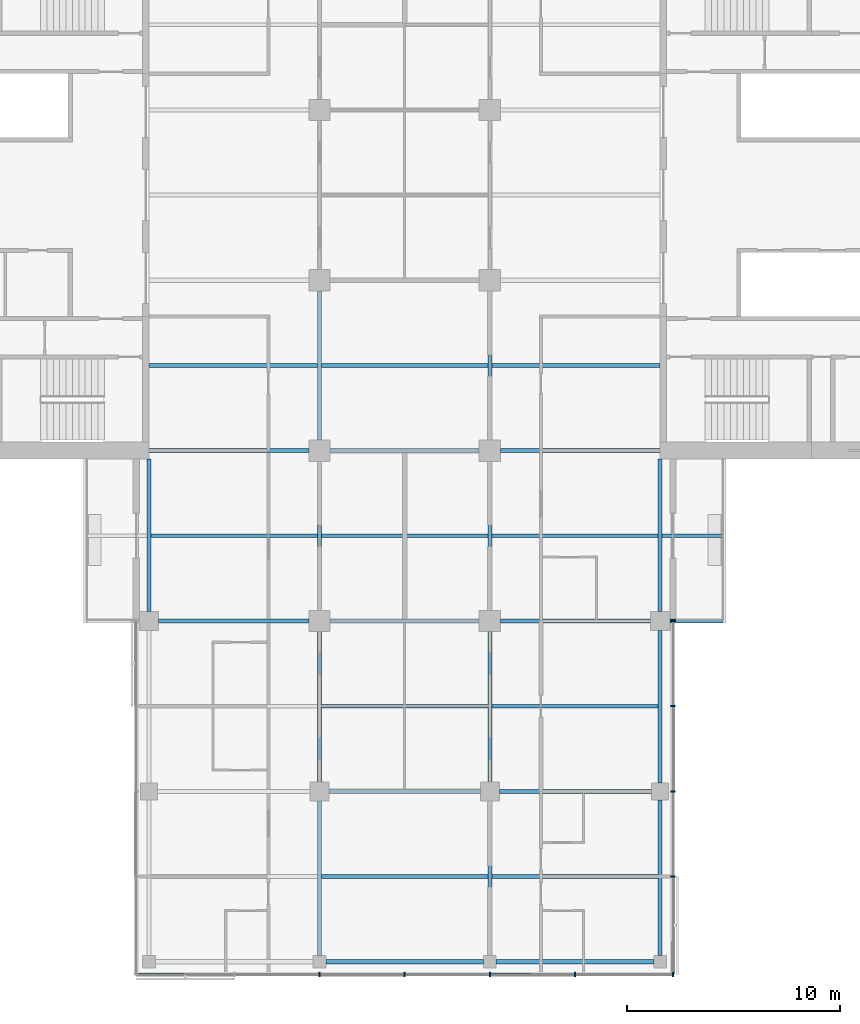
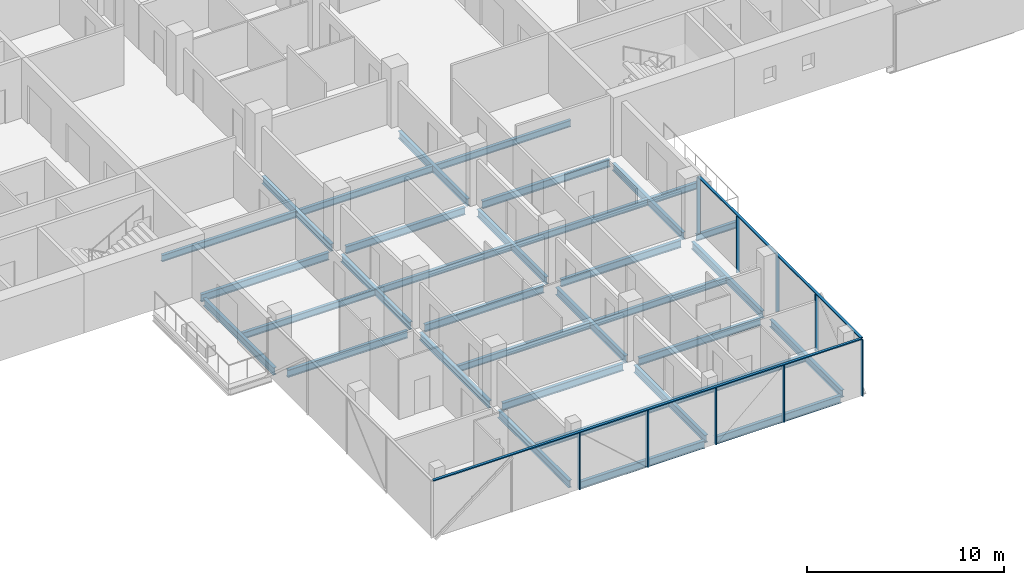
# One storey, part 4 of 27: 34 beams, 11 members, 2 elements without a shape of their own.
"""IFC4 building model written with IfcOpenShell, lengths in metres."""

from ifc_helpers import new_model, si_unit, direction, frame, origin, origin_2d, place, context, subcontext, project, spatial, rectangle, i_section, extrude, material, material_profile, profile_set, type_object, element, aggregate, save


model = new_model("IFC4")

# Units and contexts
model_context = context("Model", 3, precision=1e-05, world=origin(), true_north=direction((0.0, 1.0)))
body_context = subcontext(model_context, "Body", "Model", "MODEL_VIEW")
ifc_project = project(units=[si_unit("LENGTHUNIT", "METRE"), si_unit("AREAUNIT", "SQUARE_METRE"), si_unit("VOLUMEUNIT", "CUBIC_METRE"), si_unit("PLANEANGLEUNIT", "RADIAN"), si_unit("MASSUNIT", "GRAM", prefix="KILO")], contexts=[model_context])

# Site, building, storey
site_placement = place(None, origin())
site = spatial("IfcSite", under=ifc_project, at=site_placement, CompositionType="ELEMENT")
building_placement = place(site_placement, origin())
building = spatial("IfcBuilding", under=site, at=building_placement, Name="Crosswind Convention Tower", CompositionType="ELEMENT")
storey_placement = place(building_placement, frame((0.0, 0.0, 101.60009765625)))
storey = spatial("IfcBuildingStorey", under=building, at=storey_placement, Name="L20", CompositionType="ELEMENT", Elevation=101.60009765625)

# Beams
ifc_material_1 = material(Name="Steel S355", Category="steel")
ifc_material_profile_1 = material_profile(ifc_material_1, i_section(OverallWidth=0.177734375, OverallDepth=0.406494140625, WebThickness=0.0078125, FlangeThickness=0.0126953125, FilletRadius=0.01025390625, at=origin_2d()), Name="UB 406x178x60")
ifc_profile_set_1 = profile_set([ifc_material_profile_1], Name="Steel S355")
beam_type_1 = type_object("IfcBeamType", Name="Balcony cantilever UB 406x178x60", PredefinedType="BEAM", material=ifc_profile_set_1)
beam_1_placement = place(storey_placement, frame((137.09521484375, 84.0, -0.4833984375), z_axis=(1.0, 0.0, 0.0), x_axis=(0.0, 1.0, 0.0)))
element("IfcBeam", 1, at=beam_1_placement, inside=storey, type_object=beam_type_1, Name="B35 L20 balcony cantilever SE 10", PredefinedType="BEAM", context=body_context, shape_type="SweptSolid", body=[
    extrude(i_section(OverallWidth=0.177734375, OverallDepth=0.406494140625, WebThickness=0.0078125, FlangeThickness=0.0126953125, FilletRadius=0.01025390625, at=origin_2d()), origin(), (0.0, 0.0, 1.0), 2.8193359375),
])
beam_2_placement = place(storey_placement, frame((137.449951171875, 80.0, -0.4833984375), z_axis=(1.0, 0.0, 0.0), x_axis=(0.0, 1.0, 0.0)))
element("IfcBeam", 2, at=beam_2_placement, inside=storey, type_object=beam_type_1, Name="B35 L20 balcony cantilever SE 11", PredefinedType="BEAM", context=body_context, shape_type="SweptSolid", body=[
    extrude(i_section(OverallWidth=0.177734375, OverallDepth=0.406494140625, WebThickness=0.0078125, FlangeThickness=0.0126953125, FilletRadius=0.01025390625, at=origin_2d()), origin(), (0.0, 0.0, 1.0), 2.464599609375),
])
ifc_material_profile_2 = material_profile(ifc_material_1, i_section(OverallWidth=0.1904296875, OverallDepth=0.457275390625, WebThickness=0.009033203125, FlangeThickness=0.014404296875, FilletRadius=0.01025390625, at=origin_2d()), Name="UB 457x191x75")
ifc_profile_set_2 = profile_set([ifc_material_profile_2], Name="Steel S355")
beam_type_2 = type_object("IfcBeamType", Name="Edge beam UB 457x191x75", PredefinedType="SPANDREL", material=ifc_profile_set_2)
beam_3_placement = place(storey_placement, frame((113.0, 80.449951171875, -0.5087890625), z_axis=(0.0, 1.0, 0.0), x_axis=(-1.0, 0.0, 0.0)))
element("IfcBeam", 3, at=beam_3_placement, inside=storey, type_object=beam_type_2, Name="B17 L20 edge beam 8", PredefinedType="SPANDREL", context=body_context, shape_type="SweptSolid", body=[
    extrude(i_section(OverallWidth=0.1904296875, OverallDepth=0.457275390625, WebThickness=0.009033203125, FlangeThickness=0.014404296875, FilletRadius=0.01025390625, at=origin_2d()), origin(), (0.0, 0.0, 1.0), 7.150146484375),
])
for number, where, z_axis, x_axis, name in (
    (4, (121.300048828125, 64.0, -0.5087890625), (1.0, 0.0, 0.0), (0.0, 1.0, 0.0), "B17 L20 edge beam 14"),
    (5, (129.300048828125, 64.0, -0.5087890625), (1.0, 0.0, 0.0), (0.0, 1.0, 0.0), "B17 L20 edge beam 16"),
):
    element("IfcBeam", number, at=place(storey_placement, frame(where, z_axis=z_axis, x_axis=x_axis)), inside=storey, type_object=beam_type_2, Name=name, PredefinedType="SPANDREL", context=body_context, shape_type="SweptSolid", body=[
        extrude(i_section(OverallWidth=0.1904296875, OverallDepth=0.457275390625, WebThickness=0.009033203125, FlangeThickness=0.014404296875, FilletRadius=0.01025390625, at=origin_2d()), origin(), (0.0, 0.0, 1.0), 7.39990234375),
    ])
beam_4_placement = place(storey_placement, frame((137.0, 64.300048828125, -0.5087890625), z_axis=(0.0, 1.0, 0.0), x_axis=(-1.0, 0.0, 0.0)))
element("IfcBeam", 6, at=beam_4_placement, inside=storey, type_object=beam_type_2, Name="B17 L20 edge beam 18", PredefinedType="SPANDREL", context=body_context, shape_type="SweptSolid", body=[
    extrude(i_section(OverallWidth=0.1904296875, OverallDepth=0.457275390625, WebThickness=0.009033203125, FlangeThickness=0.014404296875, FilletRadius=0.01025390625, at=origin_2d()), origin(), (0.0, 0.0, 1.0), 7.300048828125),
])
for number, where, z_axis, x_axis, name in (
    (7, (137.0, 72.39990234375, -0.5087890625), (0.0, 1.0, 0.0), (-1.0, 0.0, 0.0), "B17 L20 edge beam 19"),
    (8, (137.0, 80.449951171875, -0.5087890625), (0.0, 1.0, 0.0), (-1.0, 0.0, 0.0), "B17 L20 edge beam 20"),
):
    element("IfcBeam", number, at=place(storey_placement, frame(where, z_axis=z_axis, x_axis=x_axis)), inside=storey, type_object=beam_type_2, Name=name, PredefinedType="SPANDREL", context=body_context, shape_type="SweptSolid", body=[
        extrude(i_section(OverallWidth=0.1904296875, OverallDepth=0.457275390625, WebThickness=0.009033203125, FlangeThickness=0.014404296875, FilletRadius=0.01025390625, at=origin_2d()), origin(), (0.0, 0.0, 1.0), 7.150146484375),
    ])
ifc_material_profile_3 = material_profile(ifc_material_1, i_section(OverallWidth=0.19140625, OverallDepth=0.460205078125, WebThickness=0.010009765625, FlangeThickness=0.01611328125, FilletRadius=0.01025390625, at=origin_2d()), Name="UB 457x191x82")
ifc_profile_set_3 = profile_set([ifc_material_profile_3], Name="Steel S355")
beam_type_3 = type_object("IfcBeamType", Name="Girder UB 457x191x82", PredefinedType="BEAM", material=ifc_profile_set_3)
beam_5_placement = place(storey_placement, frame((113.449951171875, 80.0, -0.51025390625), z_axis=(1.0, 0.0, 0.0), x_axis=(0.0, 1.0, 0.0)))
element("IfcBeam", 9, at=beam_5_placement, inside=storey, type_object=beam_type_3, Name="B3 L20 girder 3", PredefinedType="BEAM", context=body_context, shape_type="SweptSolid", body=[
    extrude(i_section(OverallWidth=0.19140625, OverallDepth=0.460205078125, WebThickness=0.010009765625, FlangeThickness=0.01611328125, FilletRadius=0.01025390625, at=origin_2d()), origin(), (0.0, 0.0, 1.0), 7.050048828125),
])
beam_6_placement = place(storey_placement, frame((121.0, 64.300048828125, -0.51025390625), z_axis=(0.0, 1.0, 0.0), x_axis=(-1.0, 0.0, 0.0)))
element("IfcBeam", 10, at=beam_6_placement, inside=storey, type_object=beam_type_3, Name="B3 L20 girder 5", PredefinedType="BEAM", context=body_context, shape_type="SweptSolid", body=[
    extrude(i_section(OverallWidth=0.19140625, OverallDepth=0.460205078125, WebThickness=0.010009765625, FlangeThickness=0.01611328125, FilletRadius=0.01025390625, at=origin_2d()), origin(), (0.0, 0.0, 1.0), 7.25),
])
beam_7_placement = place(storey_placement, frame((121.0, 72.449951171875, -0.51025390625), z_axis=(0.0, 1.0, 0.0), x_axis=(-1.0, 0.0, 0.0)))
element("IfcBeam", 11, at=beam_7_placement, inside=storey, type_object=beam_type_3, Name="B3 L20 girder 6", PredefinedType="BEAM", context=body_context, shape_type="SweptSolid", body=[
    extrude(i_section(OverallWidth=0.19140625, OverallDepth=0.460205078125, WebThickness=0.010009765625, FlangeThickness=0.01611328125, FilletRadius=0.01025390625, at=origin_2d()), origin(), (0.0, 0.0, 1.0), 7.050048828125),
])
for number, where, z_axis, x_axis, name in (
    (12, (121.0, 80.5, -0.51025390625), (0.0, 1.0, 0.0), (-1.0, 0.0, 0.0), "B3 L20 girder 7"),
    (13, (121.0, 88.5, -0.51025390625), (0.0, 1.0, 0.0), (-1.0, 0.0, 0.0), "B3 L20 girder 8"),
):
    element("IfcBeam", number, at=place(storey_placement, frame(where, z_axis=z_axis, x_axis=x_axis)), inside=storey, type_object=beam_type_3, Name=name, PredefinedType="BEAM", context=body_context, shape_type="SweptSolid", body=[
        extrude(i_section(OverallWidth=0.19140625, OverallDepth=0.460205078125, WebThickness=0.010009765625, FlangeThickness=0.01611328125, FilletRadius=0.01025390625, at=origin_2d()), origin(), (0.0, 0.0, 1.0), 7.0),
    ])
beam_8_placement = place(storey_placement, frame((121.449951171875, 72.0, -0.51025390625), z_axis=(1.0, 0.0, 0.0), x_axis=(0.0, 1.0, 0.0)))
element("IfcBeam", 14, at=beam_8_placement, inside=storey, type_object=beam_type_3, Name="B3 L20 girder 14", PredefinedType="BEAM", context=body_context, shape_type="SweptSolid", body=[
    extrude(i_section(OverallWidth=0.19140625, OverallDepth=0.460205078125, WebThickness=0.010009765625, FlangeThickness=0.01611328125, FilletRadius=0.01025390625, at=origin_2d()), origin(), (0.0, 0.0, 1.0), 7.10009765625),
])
for number, where, z_axis, x_axis, name in (
    (15, (121.5, 80.0, -0.51025390625), (1.0, 0.0, 0.0), (0.0, 1.0, 0.0), "B3 L20 girder 16"),
    (16, (121.5, 88.0, -0.51025390625), (1.0, 0.0, 0.0), (0.0, 1.0, 0.0), "B3 L20 girder 17"),
):
    element("IfcBeam", number, at=place(storey_placement, frame(where, z_axis=z_axis, x_axis=x_axis)), inside=storey, type_object=beam_type_3, Name=name, PredefinedType="BEAM", context=body_context, shape_type="SweptSolid", body=[
        extrude(i_section(OverallWidth=0.19140625, OverallDepth=0.460205078125, WebThickness=0.010009765625, FlangeThickness=0.01611328125, FilletRadius=0.01025390625, at=origin_2d()), origin(), (0.0, 0.0, 1.0), 7.0),
    ])
beam_9_placement = place(storey_placement, frame((129.0, 64.300048828125, -0.51025390625), z_axis=(0.0, 1.0, 0.0), x_axis=(-1.0, 0.0, 0.0)))
element("IfcBeam", 17, at=beam_9_placement, inside=storey, type_object=beam_type_3, Name="B3 L20 girder 22", PredefinedType="BEAM", context=body_context, shape_type="SweptSolid", body=[
    extrude(i_section(OverallWidth=0.19140625, OverallDepth=0.460205078125, WebThickness=0.010009765625, FlangeThickness=0.01611328125, FilletRadius=0.01025390625, at=origin_2d()), origin(), (0.0, 0.0, 1.0), 7.25),
])
beam_10_placement = place(storey_placement, frame((129.0, 72.449951171875, -0.51025390625), z_axis=(0.0, 1.0, 0.0), x_axis=(-1.0, 0.0, 0.0)))
element("IfcBeam", 18, at=beam_10_placement, inside=storey, type_object=beam_type_3, Name="B3 L20 girder 23", PredefinedType="BEAM", context=body_context, shape_type="SweptSolid", body=[
    extrude(i_section(OverallWidth=0.19140625, OverallDepth=0.460205078125, WebThickness=0.010009765625, FlangeThickness=0.01611328125, FilletRadius=0.01025390625, at=origin_2d()), origin(), (0.0, 0.0, 1.0), 7.050048828125),
])
for number, where, z_axis, x_axis, name in (
    (19, (129.0, 80.5, -0.51025390625), (0.0, 1.0, 0.0), (-1.0, 0.0, 0.0), "B3 L20 girder 24"),
    (20, (129.0, 88.5, -0.51025390625), (0.0, 1.0, 0.0), (-1.0, 0.0, 0.0), "B3 L20 girder 25"),
):
    element("IfcBeam", number, at=place(storey_placement, frame(where, z_axis=z_axis, x_axis=x_axis)), inside=storey, type_object=beam_type_3, Name=name, PredefinedType="BEAM", context=body_context, shape_type="SweptSolid", body=[
        extrude(i_section(OverallWidth=0.19140625, OverallDepth=0.460205078125, WebThickness=0.010009765625, FlangeThickness=0.01611328125, FilletRadius=0.01025390625, at=origin_2d()), origin(), (0.0, 0.0, 1.0), 7.0),
    ])
beam_11_placement = place(storey_placement, frame((129.449951171875, 72.0, -0.51025390625), z_axis=(1.0, 0.0, 0.0), x_axis=(0.0, 1.0, 0.0)))
element("IfcBeam", 21, at=beam_11_placement, inside=storey, type_object=beam_type_3, Name="B3 L20 girder 31", PredefinedType="BEAM", context=body_context, shape_type="SweptSolid", body=[
    extrude(i_section(OverallWidth=0.19140625, OverallDepth=0.460205078125, WebThickness=0.010009765625, FlangeThickness=0.01611328125, FilletRadius=0.01025390625, at=origin_2d()), origin(), (0.0, 0.0, 1.0), 7.150146484375),
])
beam_12_placement = place(storey_placement, frame((129.5, 80.0, -0.51025390625), z_axis=(1.0, 0.0, 0.0), x_axis=(0.0, 1.0, 0.0)))
element("IfcBeam", 22, at=beam_12_placement, inside=storey, type_object=beam_type_3, Name="B3 L20 girder 33", PredefinedType="BEAM", context=body_context, shape_type="SweptSolid", body=[
    extrude(i_section(OverallWidth=0.19140625, OverallDepth=0.460205078125, WebThickness=0.010009765625, FlangeThickness=0.01611328125, FilletRadius=0.01025390625, at=origin_2d()), origin(), (0.0, 0.0, 1.0), 7.050048828125),
])
ifc_material_profile_4 = material_profile(ifc_material_1, i_section(OverallWidth=0.19189453125, OverallDepth=0.463623046875, WebThickness=0.010498046875, FlangeThickness=0.017578125, FilletRadius=0.01025390625, at=origin_2d()), Name="UB 457x191x90")
ifc_profile_set_4 = profile_set([ifc_material_profile_4], Name="Steel S355")
beam_type_4 = type_object("IfcBeamType", Name="Girder at core wall UB 457x191x90", PredefinedType="BEAM", material=ifc_profile_set_4)
for number, where, z_axis, x_axis, name in (
    (23, (113.0, 88.0, -0.511962890625), (1.0, 0.0, 0.0), (0.0, 1.0, 0.0), "B24 L20 girder at core wall 3"),
    (24, (129.5, 88.0, -0.511962890625), (1.0, 0.0, 0.0), (0.0, 1.0, 0.0), "B24 L20 girder at core wall 7"),
):
    element("IfcBeam", number, at=place(storey_placement, frame(where, z_axis=z_axis, x_axis=x_axis)), inside=storey, type_object=beam_type_4, Name=name, PredefinedType="BEAM", context=body_context, shape_type="SweptSolid", body=[
        extrude(i_section(OverallWidth=0.19189453125, OverallDepth=0.463623046875, WebThickness=0.010498046875, FlangeThickness=0.017578125, FilletRadius=0.01025390625, at=origin_2d()), origin(), (0.0, 0.0, 1.0), 7.5),
    ])

# Curtain wall, members
ifc_material_2 = material(Name="Aluminium unitised curtain wall", Category="aluminium")
curtain_wall_type = type_object("IfcCurtainWallType", Name="HOTEL UNITISED WALL 200", PredefinedType="USERDEFINED", material=ifc_material_2)
curtain_wall_1_placement = place(storey_placement, origin())
curtain_wall_1 = element("IfcCurtainWall", 25, at=curtain_wall_1_placement, inside=storey, type_object=curtain_wall_type, Name="CW2 L20 S-TIP 1", ObjectType="UNITISED", PredefinedType="USERDEFINED")
ifc_material_3 = material(Name="Aluminium mullion", Category="aluminium")
ifc_material_profile_5 = material_profile(ifc_material_3, rectangle(XDim=0.199951171875, YDim=0.06494140625, at=origin_2d()), Name="AL 200X65")
ifc_profile_set_5 = profile_set([ifc_material_profile_5], Name="Aluminium mullion")
member_type_1 = type_object("IfcMemberType", Name="MULLION 65X200", PredefinedType="MULLION", material=ifc_profile_set_5)
member_1_placement = place(storey_placement, frame((121.0, 63.39990234375, -0.280029296875), z_axis=(0.0, 0.0, 1.0), x_axis=(0.0, -1.0, 0.0)))
member_1 = element("IfcMember", 26, at=member_1_placement, type_object=member_type_1, Name="CW2 mullion 3", PredefinedType="MULLION", context=body_context, shape_type="SweptSolid", body=[
    extrude(rectangle(XDim=0.199951171875, YDim=0.06494140625, at=origin_2d()), origin(), (0.0, 0.0, 1.0), 3.514892578125),
])
member_2_placement = place(storey_placement, frame((125.0, 63.39990234375, -0.280029296875), z_axis=(0.0, 0.0, 1.0), x_axis=(0.0, -1.0, 0.0)))
member_2 = element("IfcMember", 27, at=member_2_placement, type_object=member_type_1, Name="CW2 mullion 4", PredefinedType="MULLION", context=body_context, shape_type="SweptSolid", body=[
    extrude(rectangle(XDim=0.199951171875, YDim=0.06494140625, at=origin_2d()), origin(), (0.0, 0.0, 1.0), 3.514892578125),
])
member_3_placement = place(storey_placement, frame((129.0, 63.39990234375, -0.280029296875), z_axis=(0.0, 0.0, 1.0), x_axis=(0.0, -1.0, 0.0)))
member_3 = element("IfcMember", 28, at=member_3_placement, type_object=member_type_1, Name="CW2 mullion 5", PredefinedType="MULLION", context=body_context, shape_type="SweptSolid", body=[
    extrude(rectangle(XDim=0.199951171875, YDim=0.06494140625, at=origin_2d()), origin(), (0.0, 0.0, 1.0), 3.514892578125),
])
member_4_placement = place(storey_placement, frame((133.0, 63.39990234375, -0.280029296875), z_axis=(0.0, 0.0, 1.0), x_axis=(0.0, -1.0, 0.0)))
member_4 = element("IfcMember", 29, at=member_4_placement, type_object=member_type_1, Name="CW2 mullion 6", PredefinedType="MULLION", context=body_context, shape_type="SweptSolid", body=[
    extrude(rectangle(XDim=0.199951171875, YDim=0.06494140625, at=origin_2d()), origin(), (0.0, 0.0, 1.0), 3.514892578125),
])
member_5_placement = place(storey_placement, frame((137.60009765625, 63.39990234375, -0.280029296875), z_axis=(0.0, 0.0, 1.0), x_axis=(0.0, -1.0, 0.0)))
member_5 = element("IfcMember", 30, at=member_5_placement, type_object=member_type_1, Name="CW2 mullion 7", PredefinedType="MULLION", context=body_context, shape_type="SweptSolid", body=[
    extrude(rectangle(XDim=0.199951171875, YDim=0.06494140625, at=origin_2d()), origin(), (0.0, 0.0, 1.0), 3.514892578125),
])

curtain_wall_2_placement = place(storey_placement, origin())
curtain_wall_2 = element("IfcCurtainWall", 31, at=curtain_wall_2_placement, inside=storey, type_object=curtain_wall_type, Name="CW2 L20 S-E 1", ObjectType="UNITISED", PredefinedType="USERDEFINED")
member_6_placement = place(storey_placement, frame((137.60009765625, 68.0, -0.280029296875), z_axis=(0.0, 0.0, 1.0), x_axis=(1.0, 0.0, 0.0)))
member_6 = element("IfcMember", 32, at=member_6_placement, type_object=member_type_1, Name="CW2 mullion 2", PredefinedType="MULLION", context=body_context, shape_type="SweptSolid", body=[
    extrude(rectangle(XDim=0.199951171875, YDim=0.06494140625, at=origin_2d()), origin(), (0.0, 0.0, 1.0), 3.514892578125),
])
member_7_placement = place(storey_placement, frame((137.60009765625, 72.0, -0.280029296875), z_axis=(0.0, 0.0, 1.0), x_axis=(1.0, 0.0, 0.0)))
member_7 = element("IfcMember", 33, at=member_7_placement, type_object=member_type_1, Name="CW2 mullion 3", PredefinedType="MULLION", context=body_context, shape_type="SweptSolid", body=[
    extrude(rectangle(XDim=0.199951171875, YDim=0.06494140625, at=origin_2d()), origin(), (0.0, 0.0, 1.0), 3.514892578125),
])
member_8_placement = place(storey_placement, frame((137.60009765625, 76.0, -0.280029296875), z_axis=(0.0, 0.0, 1.0), x_axis=(1.0, 0.0, 0.0)))
member_8 = element("IfcMember", 34, at=member_8_placement, type_object=member_type_1, Name="CW2 mullion 4", PredefinedType="MULLION", context=body_context, shape_type="SweptSolid", body=[
    extrude(rectangle(XDim=0.199951171875, YDim=0.06494140625, at=origin_2d()), origin(), (0.0, 0.0, 1.0), 3.514892578125),
])
member_9_placement = place(storey_placement, frame((137.60009765625, 80.0, -0.280029296875), z_axis=(0.0, 0.0, 1.0), x_axis=(1.0, 0.0, 0.0)))
member_9 = element("IfcMember", 35, at=member_9_placement, type_object=member_type_1, Name="CW2 mullion 5", PredefinedType="MULLION", context=body_context, shape_type="SweptSolid", body=[
    extrude(rectangle(XDim=0.199951171875, YDim=0.06494140625, at=origin_2d()), origin(), (0.0, 0.0, 1.0), 3.514892578125),
])

# Beams
ifc_material_profile_6 = material_profile(ifc_material_1, i_section(OverallWidth=0.177734375, OverallDepth=0.406494140625, WebThickness=0.0078125, FlangeThickness=0.0126953125, FilletRadius=0.01025390625, at=origin_2d()), Name="UB 406x178x60")
ifc_profile_set_6 = profile_set([ifc_material_profile_6], Name="Steel S355")
beam_type_5 = type_object("IfcBeamType", Name="Secondary beam UB 406x178x60", PredefinedType="JOIST", material=ifc_profile_set_6)
beam_13_placement = place(storey_placement, frame((113.0, 92.0, -0.4833984375), z_axis=(1.0, 0.0, 0.0), x_axis=(0.0, 1.0, 0.0)))
element("IfcBeam", 36, at=beam_13_placement, inside=storey, type_object=beam_type_5, Name="B10 L20 secondary beam 4", PredefinedType="JOIST", context=body_context, shape_type="SweptSolid", body=[
    extrude(i_section(OverallWidth=0.177734375, OverallDepth=0.406494140625, WebThickness=0.0078125, FlangeThickness=0.0126953125, FilletRadius=0.01025390625, at=origin_2d()), origin(), (0.0, 0.0, 1.0), 7.904296875),
])
beam_14_placement = place(storey_placement, frame((113.09521484375, 84.0, -0.4833984375), z_axis=(1.0, 0.0, 0.0), x_axis=(0.0, 1.0, 0.0)))
element("IfcBeam", 37, at=beam_14_placement, inside=storey, type_object=beam_type_5, Name="B10 L20 secondary beam 9", PredefinedType="JOIST", context=body_context, shape_type="SweptSolid", body=[
    extrude(i_section(OverallWidth=0.177734375, OverallDepth=0.406494140625, WebThickness=0.0078125, FlangeThickness=0.0126953125, FilletRadius=0.01025390625, at=origin_2d()), origin(), (0.0, 0.0, 1.0), 7.80908203125),
])
for number, where, z_axis, x_axis, name in (
    (38, (121.095703125, 68.0, -0.4833984375), (1.0, 0.0, 0.0), (0.0, 1.0, 0.0), "B10 L20 secondary beam 13"),
    (39, (121.095703125, 76.0, -0.4833984375), (1.0, 0.0, 0.0), (0.0, 1.0, 0.0), "B10 L20 secondary beam 14"),
    (40, (121.095703125, 84.0, -0.4833984375), (1.0, 0.0, 0.0), (0.0, 1.0, 0.0), "B10 L20 secondary beam 15"),
    (41, (121.095703125, 92.0, -0.4833984375), (1.0, 0.0, 0.0), (0.0, 1.0, 0.0), "B10 L20 secondary beam 16"),
):
    element("IfcBeam", number, at=place(storey_placement, frame(where, z_axis=z_axis, x_axis=x_axis)), inside=storey, type_object=beam_type_5, Name=name, PredefinedType="JOIST", context=body_context, shape_type="SweptSolid", body=[
        extrude(i_section(OverallWidth=0.177734375, OverallDepth=0.406494140625, WebThickness=0.0078125, FlangeThickness=0.0126953125, FilletRadius=0.01025390625, at=origin_2d()), origin(), (0.0, 0.0, 1.0), 7.80859375),
    ])
for number, where, z_axis, x_axis, name in (
    (42, (129.095703125, 68.0, -0.4833984375), (1.0, 0.0, 0.0), (0.0, 1.0, 0.0), "B10 L20 secondary beam 22"),
    (43, (129.095703125, 76.0, -0.4833984375), (1.0, 0.0, 0.0), (0.0, 1.0, 0.0), "B10 L20 secondary beam 23"),
    (44, (129.095703125, 84.0, -0.4833984375), (1.0, 0.0, 0.0), (0.0, 1.0, 0.0), "B10 L20 secondary beam 24"),
):
    element("IfcBeam", number, at=place(storey_placement, frame(where, z_axis=z_axis, x_axis=x_axis)), inside=storey, type_object=beam_type_5, Name=name, PredefinedType="JOIST", context=body_context, shape_type="SweptSolid", body=[
        extrude(i_section(OverallWidth=0.177734375, OverallDepth=0.406494140625, WebThickness=0.0078125, FlangeThickness=0.0126953125, FilletRadius=0.01025390625, at=origin_2d()), origin(), (0.0, 0.0, 1.0), 7.80908203125),
    ])
beam_15_placement = place(storey_placement, frame((129.095703125, 92.0, -0.4833984375), z_axis=(1.0, 0.0, 0.0), x_axis=(0.0, 1.0, 0.0)))
element("IfcBeam", 45, at=beam_15_placement, inside=storey, type_object=beam_type_5, Name="B10 L20 secondary beam 25", PredefinedType="JOIST", context=body_context, shape_type="SweptSolid", body=[
    extrude(i_section(OverallWidth=0.177734375, OverallDepth=0.406494140625, WebThickness=0.0078125, FlangeThickness=0.0126953125, FilletRadius=0.01025390625, at=origin_2d()), origin(), (0.0, 0.0, 1.0), 7.904296875),
])

# Member
ifc_material_4 = material(Name="Aluminium transom", Category="aluminium")
ifc_material_profile_7 = material_profile(ifc_material_4, rectangle(XDim=0.14990234375, YDim=0.06494140625, at=origin_2d()), Name="AL 150X65")
ifc_profile_set_7 = profile_set([ifc_material_profile_7], Name="Aluminium transom")
member_type_2 = type_object("IfcMemberType", Name="TRANSOM 65X150", PredefinedType="USERDEFINED", material=ifc_profile_set_7)
member_10_placement = place(storey_placement, frame((112.4326171875, 63.39990234375, 3.267333984375), z_axis=(1.0, 0.0, 0.0), x_axis=(0.0, 1.0, 0.0)))
member_10 = element("IfcMember", 46, at=member_10_placement, type_object=member_type_2, Name="CW2 transom", ObjectType="TRANSOM", PredefinedType="USERDEFINED", context=body_context, shape_type="SweptSolid", body=[
    extrude(rectangle(XDim=0.14990234375, YDim=0.06494140625, at=origin_2d()), origin(), (0.0, 0.0, 1.0), 25.134765625),
])

aggregate(curtain_wall_1, [member_1, member_2, member_3, member_4, member_5, member_10])

member_11_placement = place(storey_placement, frame((137.60009765625, 63.4326171875, 3.267333984375), z_axis=(0.0, 1.0, 0.0), x_axis=(-1.0, 0.0, 0.0)))
member_11 = element("IfcMember", 47, at=member_11_placement, type_object=member_type_2, Name="CW2 transom", ObjectType="TRANSOM", PredefinedType="USERDEFINED", context=body_context, shape_type="SweptSolid", body=[
    extrude(rectangle(XDim=0.14990234375, YDim=0.06494140625, at=origin_2d()), origin(), (0.0, 0.0, 1.0), 16.534912109375),
])

aggregate(curtain_wall_2, [member_6, member_7, member_8, member_9, member_11])

save(model, "model.ifc")
